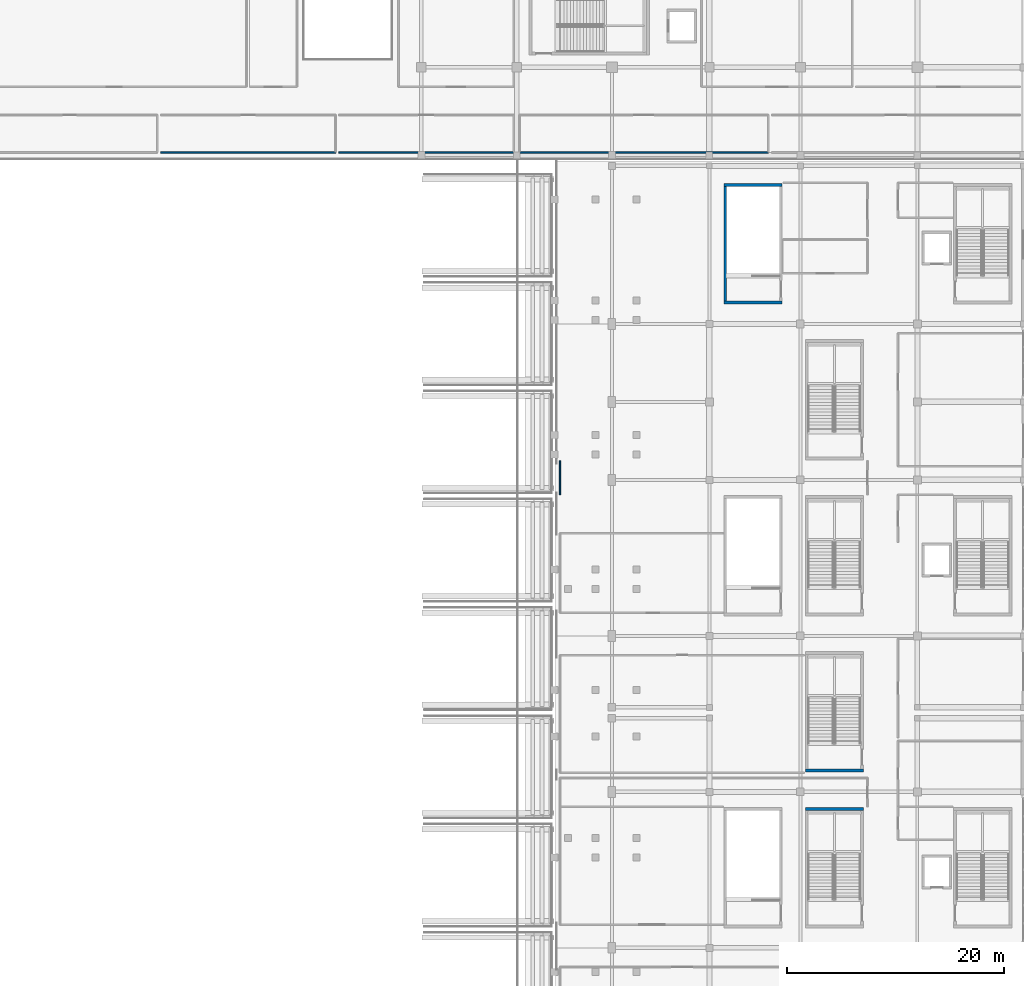
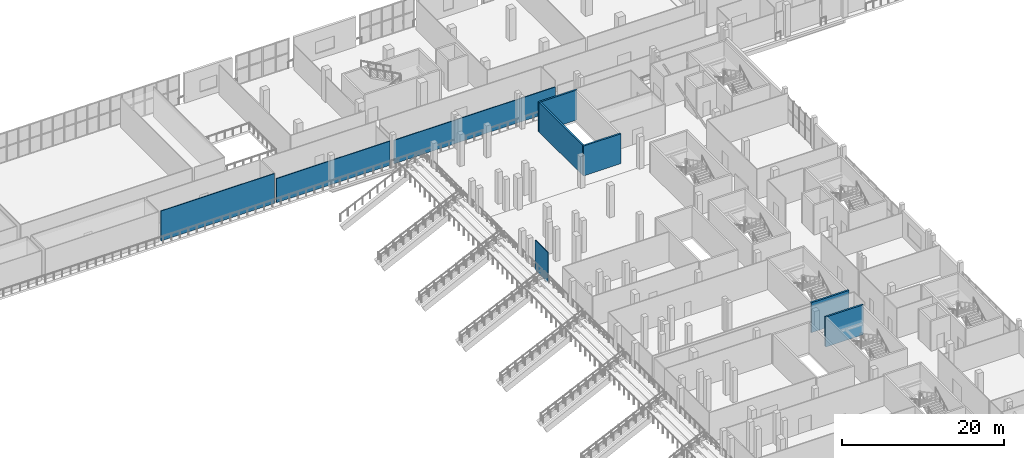
# One storey, part 82 of 129: 9 walls.
"""IFC4 building model written with IfcOpenShell, lengths in metres."""

from ifc_helpers import new_model, si_unit, direction, frame, frame_2d, origin, place, context, subcontext, project, spatial, rectangle, extrude, material, layer, layer_set, type_object, element, save


model = new_model("IFC4")

# Units and contexts
model_context = context("Model", 3, precision=1e-05, world=origin(), true_north=direction((0.0, 1.0)))
body_context = subcontext(model_context, "Body", "Model", "MODEL_VIEW")
ifc_project = project(units=[si_unit("LENGTHUNIT", "METRE"), si_unit("AREAUNIT", "SQUARE_METRE"), si_unit("VOLUMEUNIT", "CUBIC_METRE"), si_unit("PLANEANGLEUNIT", "RADIAN"), si_unit("MASSUNIT", "GRAM", prefix="KILO")], contexts=[model_context])

# Site, building, storey
site_placement = place(None, origin())
site = spatial("IfcSite", under=ifc_project, at=site_placement, CompositionType="ELEMENT")
building_placement = place(site_placement, origin())
building = spatial("IfcBuilding", under=site, at=building_placement, Name="Koshinbarg Plaza Stadium", CompositionType="ELEMENT")
storey_placement = place(building_placement, frame((0.0, 0.0, 5.39990234375)))
storey = spatial("IfcBuildingStorey", under=building, at=storey_placement, Name="L01", CompositionType="ELEMENT", Elevation=5.39990234375)

# Walls
ifc_material_1 = material(Name="Concrete C40/50", Category="concrete")
ifc_layer_1 = layer(ifc_material_1, 0.25)
ifc_layer_set_1 = layer_set([ifc_layer_1], Name="Concrete C40/50")
wall_type_1 = type_object("IfcWallType", Name="WL-CORE-250", PredefinedType="SHEAR", material=ifc_layer_set_1)
for number, where, z_axis, x_axis, name in (
    (1, (203.6201171875, 67.125, 0.0), (0.0, 0.0, 1.0), (-1.0, 0.0, 0.0), "L01 vomitory stair shear wall VX09-far IWL-L01-0487"),
    (2, (198.25, 70.675048828125, 0.0), (0.0, 0.0, 1.0), (1.0, 0.0, 0.0), "L01 vomitory stair shear wall VX10-near IWL-L01-0502"),
    (3, (190.75, 113.875, 0.0), (0.0, 0.0, 1.0), (1.0, 0.0, 0.0), "L01 vomitory stair shear wall VL08-near IWL-L01-0606"),
    (4, (196.1201171875, 124.72509765625, 0.0), (0.0, 0.0, 1.0), (-1.0, 0.0, 0.0), "L01 vomitory stair shear wall VL08-far IWL-L01-0607"),
):
    element("IfcWall", number, at=place(storey_placement, frame(where, z_axis=z_axis, x_axis=x_axis)), inside=storey, type_object=wall_type_1, Name=name, PredefinedType="SHEAR", context=body_context, shape_type="SweptSolid", body=[
        extrude(rectangle(XDim=5.3701171875, YDim=0.25, at=frame_2d((2.68505859375, 0.0))), origin(), (0.0, 0.0, 1.0), 4.5),
    ])
wall_1_placement = place(storey_placement, frame((190.875, 113.875, 0.0), z_axis=(0.0, 0.0, 1.0), x_axis=(0.0, 1.0, 0.0)))
element("IfcWall", 5, at=wall_1_placement, inside=storey, type_object=wall_type_1, Name="L01 vomitory stair shear wall VL08-left IWL-L01-0608", PredefinedType="SHEAR", context=body_context, shape_type="SweptSolid", body=[
    extrude(rectangle(XDim=10.85009765625, YDim=0.25, at=frame_2d((5.425048828125, 0.0))), origin(), (0.0, 0.0, 1.0), 4.5),
])
ifc_material_2 = material(Name="Gypsum board metal-stud acoustic partition")
ifc_layer_2 = layer(ifc_material_2, 0.1201171875)
ifc_layer_set_2 = layer_set([ifc_layer_2], Name="Gypsum board metal-stud acoustic partition")
wall_type_2 = type_object("IfcWallType", Name="WL-PART-120", PredefinedType="PARTITIONING", material=ifc_layer_set_2)
wall_2_placement = place(storey_placement, frame((175.60009765625, 99.27001953125, 0.0), z_axis=(0.0, 0.0, 1.0), x_axis=(0.0, -1.0, 0.0)))
element("IfcWall", 6, at=wall_2_placement, inside=storey, type_object=wall_type_2, Name="L01 interior partition L01-109-west IWL-L01-1429", PredefinedType="PARTITIONING", context=body_context, shape_type="SweptSolid", body=[
    extrude(rectangle(XDim=3.14013671875, YDim=0.1201171875, at=frame_2d((1.570068359375, 0.0))), origin(), (0.0, 0.0, 1.0), 4.5),
])
wall_3_placement = place(storey_placement, frame((138.723388671875, 127.7451171875, 0.0), z_axis=(0.0, 0.0, 1.0), x_axis=(1.0, 0.0, 0.0)))
element("IfcWall", 7, at=wall_3_placement, inside=storey, type_object=wall_type_2, Name="L01 interior partition L01-126-south IWL-L01-1477", PredefinedType="PARTITIONING", context=body_context, shape_type="SweptSolid", body=[
    extrude(rectangle(XDim=16.1533203125, YDim=0.1201171875, at=frame_2d((8.07666015625, 0.0))), origin(), (0.0, 0.0, 1.0), 4.5),
])
wall_4_placement = place(storey_placement, frame((155.1767578125, 127.7451171875, 0.0), z_axis=(0.0, 0.0, 1.0), x_axis=(1.0, 0.0, 0.0)))
element("IfcWall", 8, at=wall_4_placement, inside=storey, type_object=wall_type_2, Name="L01 interior partition L01-127-south IWL-L01-1480", PredefinedType="PARTITIONING", context=body_context, shape_type="SweptSolid", body=[
    extrude(rectangle(XDim=16.1533203125, YDim=0.1201171875, at=frame_2d((8.07666015625, 0.0))), origin(), (0.0, 0.0, 1.0), 3.630126953125),
])
wall_5_placement = place(storey_placement, frame((171.8701171875, 127.7451171875, 0.0), z_axis=(0.0, 0.0, 1.0), x_axis=(1.0, 0.0, 0.0)))
element("IfcWall", 9, at=wall_5_placement, inside=storey, type_object=wall_type_2, Name="L01 interior partition L01-131-south IWL-L01-1491", PredefinedType="PARTITIONING", context=body_context, shape_type="SweptSolid", body=[
    extrude(rectangle(XDim=22.96728515625, YDim=0.1201171875, at=frame_2d((11.483642578125, 0.0))), origin(), (0.0, 0.0, 1.0), 3.530029296875),
])

save(model, "model.ifc")
